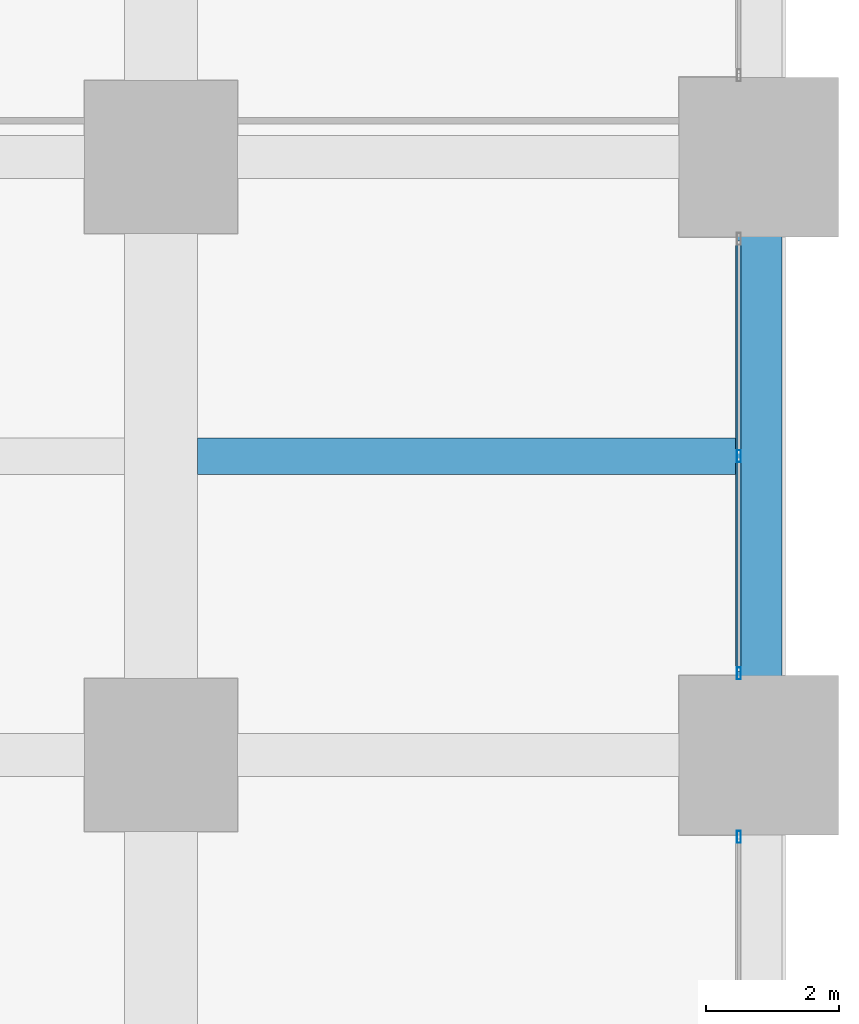
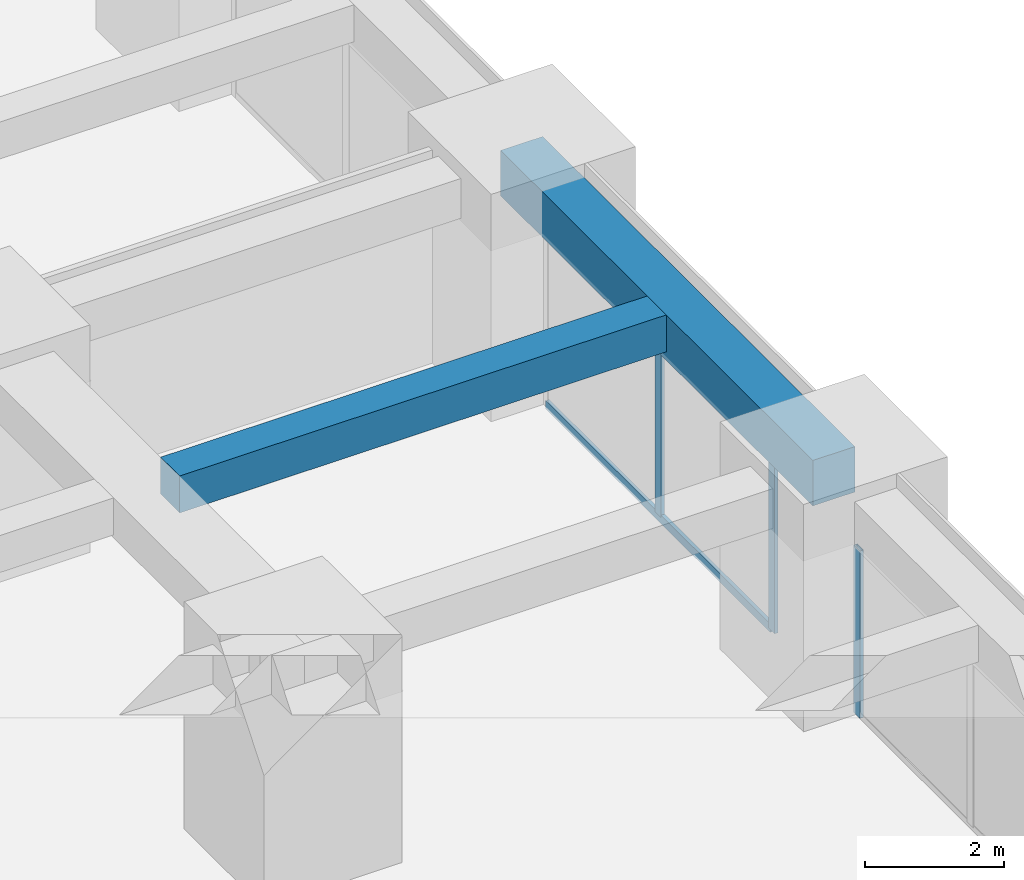
# One storey, part 22 of 45: 4 members, 2 beams, 2 elements without a shape of their own.
"""IFC4 building model written with IfcOpenShell, lengths in metres."""

import ifcopenshell
import ifcopenshell.guid

model = None  # the IFC model being written
_history = None  # IfcOwnerHistory: only IFC2X3 demands one
_inside = {}  # id of a spatial element -> (the spatial element, [elements in it])
_under = {}  # id of a project, library or spatial element -> (it, [spatial elements below it])
_declared = {}  # id of a project -> (the project, [libraries it declares])
_typed = {}  # id of a type object -> (the type object, [elements of that type])
_made_of = {}  # id of a material, layer set ... -> (it, [elements and type objects made of it])


def new_model(schema):
    """Start an empty IFC model of exactly this schema.

    Asked for "IFC4X3", IfcOpenShell would pick the latest addendum, in which some entities
    have other attributes; the version numbers below select the first issue.
    IFC2X3 requires an IfcOwnerHistory on every rooted entity: one is made here for all.
    """
    global model, _history
    if schema == "IFC4X3":
        model = ifcopenshell.file(schema_version=(4, 3, 0, 0))
    else:
        model = ifcopenshell.file(schema=schema)
    _inside.clear()
    _under.clear()
    _declared.clear()
    _typed.clear()
    _made_of.clear()
    _history = None
    if model.schema == "IFC2X3":
        org = make("IfcOrganization", Name="unknown")
        user = make(
            "IfcPersonAndOrganization",
            ThePerson=make("IfcPerson", FamilyName="unknown"),
            TheOrganization=org,
        )
        app = make(
            "IfcApplication",
            ApplicationDeveloper=org,
            Version="unknown",
            ApplicationFullName="unknown",
            ApplicationIdentifier="unknown",
        )
        _history = make(
            "IfcOwnerHistory",
            OwningUser=user,
            OwningApplication=app,
            ChangeAction="ADDED",
            CreationDate=0,
        )
    return model


def make(cls, **values):
    """One entity of the class cls with the attributes given. An attribute that is None is left unset."""
    return model.create_entity(
        cls, **{name: value for name, value in values.items() if value is not None}
    )


def rooted(cls, **values):
    """An entity with a GlobalId (a new one), such as an element, a storey or a relation."""
    return make(cls, GlobalId=ifcopenshell.guid.new(), OwnerHistory=_history, **values)


def si_unit(unit_type, name, prefix=None):
    """IfcSIUnit, for example si_unit("LENGTHUNIT", "METRE", prefix="MILLI")."""
    return make("IfcSIUnit", UnitType=unit_type, Prefix=prefix, Name=name)


def assignment(units):
    """IfcUnitAssignment: the units of a project."""
    return None if units is None else make("IfcUnitAssignment", Units=units)


def point(xyz):
    """IfcCartesianPoint."""
    return None if xyz is None else make("IfcCartesianPoint", Coordinates=xyz)


def direction(xyz):
    """IfcDirection."""
    return None if xyz is None else make("IfcDirection", DirectionRatios=xyz)


def frame(location, z_axis=None, x_axis=None):
    """IfcAxis2Placement3D, a coordinate frame: its origin and axes. An axis left out is left unset."""
    return make(
        "IfcAxis2Placement3D",
        Location=point(location),
        Axis=direction(z_axis),
        RefDirection=direction(x_axis),
    )


def frame_2d(location, x_axis=None):
    """IfcAxis2Placement2D, a coordinate frame in the plane: its origin and x axis."""
    return make(
        "IfcAxis2Placement2D", Location=point(location), RefDirection=direction(x_axis)
    )


def origin():
    """The frame at (0, 0, 0) with its axes left unset."""
    return frame((0.0, 0.0, 0.0))


def origin_2d():
    """The frame at (0, 0) in the plane with its x axis left unset."""
    return frame_2d((0.0, 0.0))


def place(relative_to, where):
    """IfcLocalPlacement: puts the frame where relative to a parent placement (None: the world)."""
    return make(
        "IfcLocalPlacement", PlacementRelTo=relative_to, RelativePlacement=where
    )


def context(
    kind, dimensions, precision=None, world=None, true_north=None, identifier=None
):
    """IfcGeometricRepresentationContext, for example the 3D "Model" context."""
    return make(
        "IfcGeometricRepresentationContext",
        ContextIdentifier=identifier,
        ContextType=kind,
        CoordinateSpaceDimension=dimensions,
        Precision=precision,
        WorldCoordinateSystem=world,
        TrueNorth=true_north,
    )


def subcontext(parent, identifier, kind, view, scale=None):
    """IfcGeometricRepresentationSubContext, for example "Body" below "Model"."""
    return make(
        "IfcGeometricRepresentationSubContext",
        ContextIdentifier=identifier,
        ContextType=kind,
        ParentContext=parent,
        TargetScale=scale,
        TargetView=view,
    )


def project(units=None, contexts=None):
    """IfcProject with its units and contexts."""
    return rooted(
        "IfcProject",
        Name="project",
        RepresentationContexts=contexts,
        UnitsInContext=assignment(units),
    )


def spatial(cls, under=None, at=None, **own):
    """A site, building, storey or space (cls), placed at a placement, below another one or the project."""
    s = rooted(cls, ObjectPlacement=at, **own)
    if under is not None:
        _under.setdefault(under.id(), (under, []))[1].append(s)
    return s


def profile(cls, at=None, kind="AREA", **sizes):
    """A parametric profile (cls). Its sizes go by their IFC names, for example OverallWidth=200.0."""
    return make(cls, ProfileType=kind, Position=at, **sizes)


def rectangle(**sizes):
    """IfcRectangleProfileDef."""
    return profile("IfcRectangleProfileDef", **sizes)


def hollow_rectangle(**sizes):
    """IfcRectangleHollowProfileDef."""
    return profile("IfcRectangleHollowProfileDef", **sizes)


def extrude(swept, where, along, depth):
    """IfcExtrudedAreaSolid: the profile swept, set in the frame where, extruded along a direction by depth."""
    return make(
        "IfcExtrudedAreaSolid",
        SweptArea=swept,
        Position=where,
        ExtrudedDirection=direction(along),
        Depth=depth,
    )


def shape(context_of_items, identifier, shape_type, items):
    """IfcShapeRepresentation: the items that make up one representation, for example the "Body"."""
    return make(
        "IfcShapeRepresentation",
        ContextOfItems=context_of_items,
        RepresentationIdentifier=identifier,
        RepresentationType=shape_type,
        Items=items,
    )


def material(Name=None, Category=None):
    """IfcMaterial."""
    return make("IfcMaterial", Name=Name, Category=Category)


def material_profile(
    of_material, cross_section, Name=None, Category=None, Priority=None
):
    """IfcMaterialProfile: a cross section and its material."""
    return make(
        "IfcMaterialProfile",
        Name=Name,
        Material=of_material,
        Profile=cross_section,
        Priority=Priority,
        Category=Category,
    )


def profile_set(profiles, Name=None, composite=None):
    """IfcMaterialProfileSet."""
    return make(
        "IfcMaterialProfileSet",
        Name=Name,
        MaterialProfiles=profiles,
        CompositeProfile=composite,
    )


def made_of(thing, what):
    """Note that an element or type object is made of a material, layer set ...; save() writes the relation."""
    if what is not None:
        _made_of.setdefault(what.id(), (what, []))[1].append(thing)
    return thing


def type_object(cls, material=None, **own):
    """A type object (cls), such as IfcWallType, which elements share."""
    return made_of(rooted(cls, **own), material)


def element(
    cls,
    number,
    at=None,
    inside=None,
    cuts=None,
    type_object=None,
    material=None,
    context=None,
    identifier="Body",
    shape_type=None,
    held_by="IfcProductDefinitionShape",
    body=None,
    shapes=None,
    **own,
):
    """One element of the class cls, such as IfcWall. Its Tag is "e" and its number.

    at: its placement. inside: the storey or other place that contains it. cuts: it is an
    opening in that element (IfcRelVoidsElement). A single representation is given by context,
    identifier, shape_type and body (its items); several are given by shapes. held_by: the class
    of the entity that holds the representations. save() writes the other relations.
    """
    e = rooted(cls, Tag="e%d" % number, ObjectPlacement=at, **own)
    if body is not None:
        shapes = [shape(context, identifier, shape_type, body)]
    if shapes is not None:
        e.Representation = make(held_by, Representations=shapes)
    if inside is not None:
        _inside.setdefault(inside.id(), (inside, []))[1].append(e)
    if cuts is not None:
        rooted(
            "IfcRelVoidsElement", RelatingBuildingElement=cuts, RelatedOpeningElement=e
        )
    if type_object is not None:
        _typed.setdefault(type_object.id(), (type_object, []))[1].append(e)
    return made_of(e, material)


def aggregate(whole, parts):
    """IfcRelAggregates: a whole, such as a stair, and the parts it consists of."""
    return rooted("IfcRelAggregates", RelatingObject=whole, RelatedObjects=parts)


def save(model, path):
    """Write the relations noted so far, then the file.

    IfcRelAggregates (storeys below a building ...), IfcRelContainedInSpatialStructure (elements
    in a storey), IfcRelDefinesByType, IfcRelAssociatesMaterial and IfcRelDeclares: one each for
    every whole, place, type object, material and project.
    """
    for whole, parts in _under.values():
        aggregate(whole, parts)
    for where, things in _inside.values():
        rooted(
            "IfcRelContainedInSpatialStructure",
            RelatedElements=things,
            RelatingStructure=where,
        )
    for kind, things in _typed.values():
        rooted("IfcRelDefinesByType", RelatedObjects=things, RelatingType=kind)
    for what, things in _made_of.values():
        rooted("IfcRelAssociatesMaterial", RelatedObjects=things, RelatingMaterial=what)
    for by, libraries in _declared.values():
        rooted("IfcRelDeclares", RelatingContext=by, RelatedDefinitions=libraries)
    model.write(path)


model = new_model("IFC4")

# Units and contexts
model_context = context("Model", 3, precision=1e-05, world=origin(), true_north=direction((0.0, 1.0)))
body_context = subcontext(model_context, "Body", "Model", "MODEL_VIEW")
ifc_project = project(units=[si_unit("LENGTHUNIT", "METRE"), si_unit("AREAUNIT", "SQUARE_METRE"), si_unit("VOLUMEUNIT", "CUBIC_METRE"), si_unit("PLANEANGLEUNIT", "RADIAN"), si_unit("MASSUNIT", "GRAM", prefix="KILO")], contexts=[model_context])

# Site, building, storey
site_placement = place(None, origin())
site = spatial("IfcSite", under=ifc_project, at=site_placement, CompositionType="ELEMENT")
building_placement = place(site_placement, origin())
building = spatial("IfcBuilding", under=site, at=building_placement, Name="Zorevar Civic Tower", CompositionType="ELEMENT")
storey_placement = place(building_placement, frame((0.0, 0.0, 39.800048828125)))
storey = spatial("IfcBuildingStorey", under=building, at=storey_placement, Name="L09", CompositionType="ELEMENT", Elevation=39.800048828125)

# Beam
ifc_material_1 = material(Name="Concrete C50/60", Category="concrete")
ifc_material_profile_1 = material_profile(ifc_material_1, rectangle(XDim=0.550048828125, YDim=0.64990234375, at=origin_2d()), Name="RC 550x650")
ifc_profile_set_1 = profile_set([ifc_material_profile_1], Name="Concrete C50/60")
beam_type_1 = type_object("IfcBeamType", Name="Beam RC 550x650", PredefinedType="BEAM", material=ifc_profile_set_1)
beam_1_placement = place(storey_placement, frame((54.550048828125, 31.5, 3.425048828125), z_axis=(1.0, 0.0, 0.0), x_axis=(0.0, 1.0, 0.0)))
element("IfcBeam", 1, at=beam_1_placement, inside=storey, type_object=beam_type_1, Name="Secondary beam L10", PredefinedType="BEAM", context=body_context, shape_type="SweptSolid", body=[
    extrude(rectangle(XDim=0.550048828125, YDim=0.64990234375, at=origin_2d()), origin(), (0.0, 0.0, 1.0), 8.099853515625),
])

# Curtain wall, member
ifc_material_2 = material(Name="Dark grey solar-control glass in black aluminium frame", Category="aluminium")
curtain_wall_type = type_object("IfcCurtainWallType", Name="Curtain wall CW2 low zone", PredefinedType="NOTDEFINED", material=ifc_material_2)
curtain_wall_1_placement = place(storey_placement, origin())
curtain_wall_1 = element("IfcCurtainWall", 2, at=curtain_wall_1_placement, inside=storey, type_object=curtain_wall_type, Name="CW2 L09", PredefinedType="NOTDEFINED")
ifc_material_3 = material(Name="Aluminium, black anodised", Category="aluminium")
ifc_material_profile_2 = material_profile(ifc_material_3, hollow_rectangle(XDim=0.06005859375, YDim=0.179931640625, WallThickness=0.00390625, at=origin_2d()), Name="AL 180x60x4")
ifc_profile_set_2 = profile_set([ifc_material_profile_2], Name="Aluminium, black anodised")
member_type_1 = type_object("IfcMemberType", Name="CW2 mullion AL 180x60x4", PredefinedType="MULLION", material=ifc_profile_set_2)
member_1_placement = place(storey_placement, frame((62.699951171875, 25.77001953125, 0.0), z_axis=(0.0, 0.0, 1.0), x_axis=(-1.0, 0.0, 0.0)))
member_1 = element("IfcMember", 3, at=member_1_placement, type_object=member_type_1, Name="CW2 mullion 3", PredefinedType="MULLION", context=body_context, shape_type="SweptSolid", body=[
    extrude(hollow_rectangle(XDim=0.06005859375, YDim=0.179931640625, WallThickness=0.00390625, at=origin_2d()), origin(), (0.0, 0.0, 1.0), 2.949951171875),
])
aggregate(curtain_wall_1, [member_1])

# Curtain wall, members
curtain_wall_2_placement = place(storey_placement, origin())
curtain_wall_2 = element("IfcCurtainWall", 4, at=curtain_wall_2_placement, inside=storey, type_object=curtain_wall_type, Name="CW2 L09", PredefinedType="NOTDEFINED")
member_2_placement = place(storey_placement, frame((62.699951171875, 28.22998046875, 0.0), z_axis=(0.0, 0.0, 1.0), x_axis=(-1.0, 0.0, 0.0)))
member_2 = element("IfcMember", 5, at=member_2_placement, type_object=member_type_1, Name="CW2 mullion 1", PredefinedType="MULLION", context=body_context, shape_type="SweptSolid", body=[
    extrude(hollow_rectangle(XDim=0.06005859375, YDim=0.179931640625, WallThickness=0.00390625, at=origin_2d()), origin(), (0.0, 0.0, 1.0), 2.949951171875),
])
member_3_placement = place(storey_placement, frame((62.699951171875, 31.5, 0.06005859375), z_axis=(0.0, 0.0, 1.0), x_axis=(-1.0, 0.0, 0.0)))
member_3 = element("IfcMember", 6, at=member_3_placement, type_object=member_type_1, Name="CW2 mullion 2", PredefinedType="MULLION", context=body_context, shape_type="SweptSolid", body=[
    extrude(hollow_rectangle(XDim=0.06005859375, YDim=0.179931640625, WallThickness=0.00390625, at=origin_2d()), origin(), (0.0, 0.0, 1.0), 2.889892578125),
])
ifc_material_4 = material(Name="Aluminium, black anodised", Category="aluminium")
ifc_material_profile_3 = material_profile(ifc_material_4, hollow_rectangle(XDim=0.06005859375, YDim=0.14990234375, WallThickness=0.00390625, at=origin_2d()), Name="AL 150x60x4")
ifc_profile_set_3 = profile_set([ifc_material_profile_3], Name="Aluminium, black anodised")
member_type_2 = type_object("IfcMemberType", Name="CW2 transom AL 150x60x4", PredefinedType="USERDEFINED", material=ifc_profile_set_3)
member_4_placement = place(storey_placement, frame((62.699951171875, 28.260009765625, 0.030029296875), z_axis=(0.0, 1.0, 0.0), x_axis=(-1.0, 0.0, 0.0)))
member_4 = element("IfcMember", 7, at=member_4_placement, type_object=member_type_2, Name="CW2 sill transom", ObjectType="TRANSOM", PredefinedType="USERDEFINED", context=body_context, shape_type="SweptSolid", body=[
    extrude(hollow_rectangle(XDim=0.06005859375, YDim=0.14990234375, WallThickness=0.00390625, at=origin_2d()), origin(), (0.0, 0.0, 1.0), 6.47998046875),
])
aggregate(curtain_wall_2, [member_2, member_3, member_4])

# Beam
ifc_material_5 = material(Name="Concrete C50/60", Category="concrete")
ifc_material_profile_4 = material_profile(ifc_material_5, rectangle(XDim=0.699951171875, YDim=0.800048828125, at=origin_2d()), Name="RC 700x800")
ifc_profile_set_4 = profile_set([ifc_material_profile_4], Name="Concrete C50/60")
beam_type_2 = type_object("IfcBeamType", Name="Edge beam RC 700x800", PredefinedType="SPANDREL", material=ifc_profile_set_4)
beam_2_placement = place(storey_placement, frame((63.0, 27.0, 3.349853515625), z_axis=(0.0, 1.0, 0.0), x_axis=(-1.0, 0.0, 0.0)))
element("IfcBeam", 8, at=beam_2_placement, inside=storey, type_object=beam_type_2, Name="Edge beam L10", PredefinedType="SPANDREL", context=body_context, shape_type="SweptSolid", body=[
    extrude(rectangle(XDim=0.699951171875, YDim=0.800048828125, at=origin_2d()), origin(), (0.0, 0.0, 1.0), 9.0),
])

save(model, "model.ifc")
